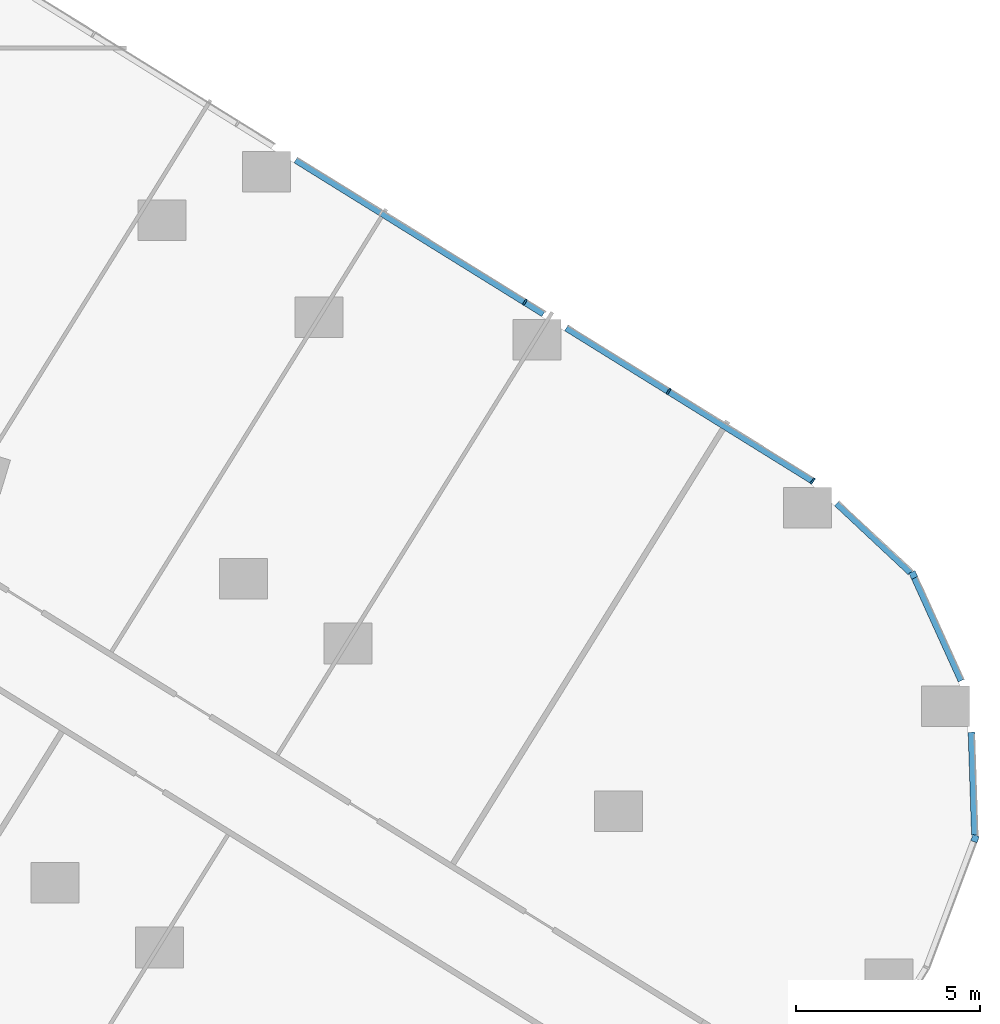
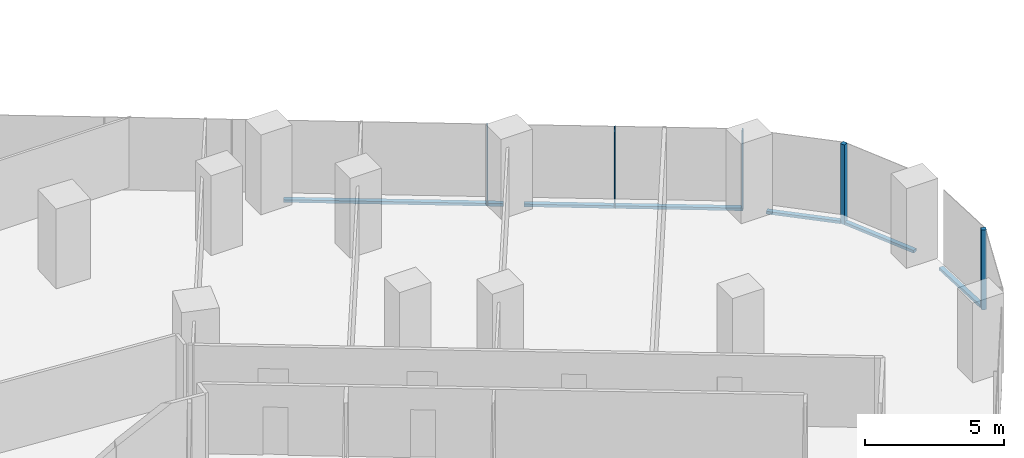
# One storey, part 11 of 34: 10 members, 5 elements without a shape of their own.
"""IFC4 building model written with IfcOpenShell, lengths in metres."""

from ifc_helpers import new_model, si_unit, direction, frame, origin, origin_2d, place, context, subcontext, project, spatial, rectangle, extrude, material, material_profile, profile_set, type_object, element, aggregate, save


model = new_model("IFC4")

# Units and contexts
model_context = context("Model", 3, precision=1e-05, world=origin(), true_north=direction((0.0, 1.0)))
body_context = subcontext(model_context, "Body", "Model", "MODEL_VIEW")
ifc_project = project(units=[si_unit("LENGTHUNIT", "METRE"), si_unit("AREAUNIT", "SQUARE_METRE"), si_unit("VOLUMEUNIT", "CUBIC_METRE"), si_unit("PLANEANGLEUNIT", "RADIAN"), si_unit("MASSUNIT", "GRAM", prefix="KILO")], contexts=[model_context])

# Site, building, storey
site_placement = place(None, origin())
site = spatial("IfcSite", under=ifc_project, at=site_placement, CompositionType="ELEMENT")
building_placement = place(site_placement, origin())
building = spatial("IfcBuilding", under=site, at=building_placement, Name="Orlundy Tower", CompositionType="ELEMENT")
storey_placement = place(building_placement, frame((0.0, 0.0, 47.800048828125)))
storey = spatial("IfcBuildingStorey", under=building, at=storey_placement, Name="L10", CompositionType="ELEMENT", Elevation=47.800048828125)

# Curtain wall, member
ifc_material_1 = material(Name="Aluminium bronze anodised", Category="aluminium")
curtain_wall_type = type_object("IfcCurtainWallType", Name="CW1 wall", PredefinedType="NOTDEFINED", material=ifc_material_1)
curtain_wall_1_placement = place(storey_placement, origin())
curtain_wall_1 = element("IfcCurtainWall", 1, at=curtain_wall_1_placement, inside=storey, type_object=curtain_wall_type, Name="CW1 run 08", PredefinedType="NOTDEFINED")
ifc_material_2 = material(Name="Aluminium bronze anodised", Category="aluminium")
ifc_material_profile_1 = material_profile(ifc_material_2, rectangle(XDim=0.179931640625, YDim=0.179931640625, at=origin_2d()), Name="CW1 corner post 180x180")
ifc_profile_set_1 = profile_set([ifc_material_profile_1], Name="Aluminium bronze anodised")
member_type_1 = type_object("IfcMemberType", Name="CW1 corner post 180x180", PredefinedType="MULLION", material=ifc_profile_set_1)
member_1_placement = place(storey_placement, frame((55.810546875, -11.859375, -0.420166015625), z_axis=(0.0, 0.0, 1.0), x_axis=(0.91057887201, 0.413335357608, 0.0)))
member_1 = element("IfcMember", 2, at=member_1_placement, type_object=member_type_1, Name="CW1 mullion 33", PredefinedType="MULLION", context=body_context, shape_type="SweptSolid", body=[
    extrude(rectangle(XDim=0.179931640625, YDim=0.179931640625, at=origin_2d()), origin(), (0.0, 0.0, 1.0), 3.5),
])

curtain_wall_2_placement = place(storey_placement, origin())
curtain_wall_2 = element("IfcCurtainWall", 3, at=curtain_wall_2_placement, inside=storey, type_object=curtain_wall_type, Name="CW1 run 010", PredefinedType="NOTDEFINED")
member_2_placement = place(storey_placement, frame((57.482666015625, -19.0078125, -0.420166015625), z_axis=(0.0, 0.0, 1.0), x_axis=(0.936173864009, -0.351537332791, 0.0)))
member_2 = element("IfcMember", 4, at=member_2_placement, type_object=member_type_1, Name="CW1 mullion 35", PredefinedType="MULLION", context=body_context, shape_type="SweptSolid", body=[
    extrude(rectangle(XDim=0.179931640625, YDim=0.179931640625, at=origin_2d()), origin(), (0.0, 0.0, 1.0), 3.5),
])
aggregate(curtain_wall_2, [member_2])

# Curtain wall, members
curtain_wall_3_placement = place(storey_placement, origin())
curtain_wall_3 = element("IfcCurtainWall", 5, at=curtain_wall_3_placement, inside=storey, type_object=curtain_wall_type, Name="CW1 run 06", PredefinedType="NOTDEFINED")
ifc_material_3 = material(Name="Aluminium bronze anodised", Category="aluminium")
ifc_material_profile_2 = material_profile(ifc_material_3, rectangle(XDim=0.179931640625, YDim=0.050048828125, at=origin_2d()), Name="CW1 mullion 50x180")
ifc_profile_set_2 = profile_set([ifc_material_profile_2], Name="Aluminium bronze anodised")
member_type_2 = type_object("IfcMemberType", Name="CW1 mullion 50x180", PredefinedType="MULLION", material=ifc_profile_set_2)
member_3_placement = place(storey_placement, frame((45.278564453125, -4.4638671875, -0.420166015625), z_axis=(0.0, 0.0, 1.0), x_axis=(0.527453271529, 0.849584043137, 0.0)))
member_3 = element("IfcMember", 6, at=member_3_placement, type_object=member_type_2, Name="CW1 mullion 30", PredefinedType="MULLION", context=body_context, shape_type="SweptSolid", body=[
    extrude(rectangle(XDim=0.179931640625, YDim=0.050048828125, at=origin_2d()), origin(), (0.0, 0.0, 1.0), 3.5),
])
member_4_placement = place(storey_placement, frame((49.177001953125, -6.88427734375, -0.420166015625), z_axis=(0.0, 0.0, 1.0), x_axis=(0.527453271529, 0.849584043137, 0.0)))
member_4 = element("IfcMember", 7, at=member_4_placement, type_object=member_type_2, Name="CW1 mullion 31", PredefinedType="MULLION", context=body_context, shape_type="SweptSolid", body=[
    extrude(rectangle(XDim=0.179931640625, YDim=0.050048828125, at=origin_2d()), origin(), (0.0, 0.0, 1.0), 3.5),
])

# Curtain wall, member
curtain_wall_4_placement = place(storey_placement, origin())
curtain_wall_4 = element("IfcCurtainWall", 8, at=curtain_wall_4_placement, inside=storey, type_object=curtain_wall_type, Name="CW1 run 07", PredefinedType="NOTDEFINED")
member_5_placement = place(storey_placement, frame((53.0830078125, -9.309326171875, -0.420166015625), z_axis=(0.0, 0.0, 1.0), x_axis=(0.608136954191, 0.793832126427, 0.0)))
member_5 = element("IfcMember", 9, at=member_5_placement, type_object=member_type_2, Name="CW1 mullion 32", PredefinedType="MULLION", context=body_context, shape_type="SweptSolid", body=[
    extrude(rectangle(XDim=0.179931640625, YDim=0.050048828125, at=origin_2d()), origin(), (0.0, 0.0, 1.0), 3.5),
])

# Member
ifc_material_4 = material(Name="Aluminium bronze anodised", Category="aluminium")
ifc_material_profile_3 = material_profile(ifc_material_4, rectangle(XDim=0.179931640625, YDim=0.1201171875, at=origin_2d()), Name="CW1 transom 180x120")
ifc_profile_set_3 = profile_set([ifc_material_profile_3], Name="Aluminium bronze anodised")
member_type_3 = type_object("IfcMemberType", Name="CW1 transom 180x120", PredefinedType="USERDEFINED", material=ifc_profile_set_3)
member_6_placement = place(storey_placement, frame((39.069091796875, -0.60888671875, -0.360107421875), z_axis=(0.84958050757, -0.527458966326, 0.0), x_axis=(0.527458966326, 0.84958050757, 0.0)))
member_6 = element("IfcMember", 10, at=member_6_placement, type_object=member_type_3, Name="CW1 transom", ObjectType="TRANSOM", PredefinedType="USERDEFINED", context=body_context, shape_type="SweptSolid", body=[
    extrude(rectangle(XDim=0.179931640625, YDim=0.1201171875, at=origin_2d()), origin(), (0.0, 0.0, 1.0), 7.904296875),
])

member_7_placement = place(storey_placement, frame((46.404052734375, -5.16259765625, -0.360107421875), z_axis=(0.849587212387, -0.527448166693, 0.0), x_axis=(0.527448166693, 0.849587212387, 0.0)))
member_7 = element("IfcMember", 11, at=member_7_placement, type_object=member_type_3, Name="CW1 transom", ObjectType="TRANSOM", PredefinedType="USERDEFINED", context=body_context, shape_type="SweptSolid", body=[
    extrude(rectangle(XDim=0.179931640625, YDim=0.1201171875, at=origin_2d()), origin(), (0.0, 0.0, 1.0), 7.83642578125),
])

aggregate(curtain_wall_3, [member_3, member_4, member_6, member_7])

member_8_placement = place(storey_placement, frame((53.736083984375, -9.919677734375, -0.360107421875), z_axis=(0.73043039974, -0.682987138338, 0.0), x_axis=(0.682987138338, 0.73043039974, 0.0)))
member_8 = element("IfcMember", 12, at=member_8_placement, type_object=member_type_3, Name="CW1 transom", ObjectType="TRANSOM", PredefinedType="USERDEFINED", context=body_context, shape_type="SweptSolid", body=[
    extrude(rectangle(XDim=0.179931640625, YDim=0.1201171875, at=origin_2d()), origin(), (0.0, 0.0, 1.0), 2.74267578125),
])

aggregate(curtain_wall_4, [member_5, member_8])

member_9_placement = place(storey_placement, frame((55.84765625, -11.94140625, -0.360107421875), z_axis=(0.413357645498, -0.91056875463, 0.0), x_axis=(0.91056875463, 0.413357645498, 0.0)))
member_9 = element("IfcMember", 13, at=member_9_placement, type_object=member_type_3, Name="CW1 transom", ObjectType="TRANSOM", PredefinedType="USERDEFINED", context=body_context, shape_type="SweptSolid", body=[
    extrude(rectangle(XDim=0.179931640625, YDim=0.1201171875, at=origin_2d()), origin(), (0.0, 0.0, 1.0), 3.05712890625),
])

aggregate(curtain_wall_1, [member_1, member_9])

# Curtain wall, member
curtain_wall_5_placement = place(storey_placement, origin())
curtain_wall_5 = element("IfcCurtainWall", 14, at=curtain_wall_5_placement, inside=storey, type_object=curtain_wall_type, Name="CW1 run 09", PredefinedType="NOTDEFINED")
member_10_placement = place(storey_placement, frame((57.385986328125, -16.125, -0.360107421875), z_axis=(0.033463586298, -0.999439937361, 0.0), x_axis=(0.999439937361, 0.033463586298, 0.0)))
member_10 = element("IfcMember", 15, at=member_10_placement, type_object=member_type_3, Name="CW1 transom", ObjectType="TRANSOM", PredefinedType="USERDEFINED", context=body_context, shape_type="SweptSolid", body=[
    extrude(rectangle(XDim=0.179931640625, YDim=0.1201171875, at=origin_2d()), origin(), (0.0, 0.0, 1.0), 2.786865234375),
])
aggregate(curtain_wall_5, [member_10])

save(model, "model.ifc")
